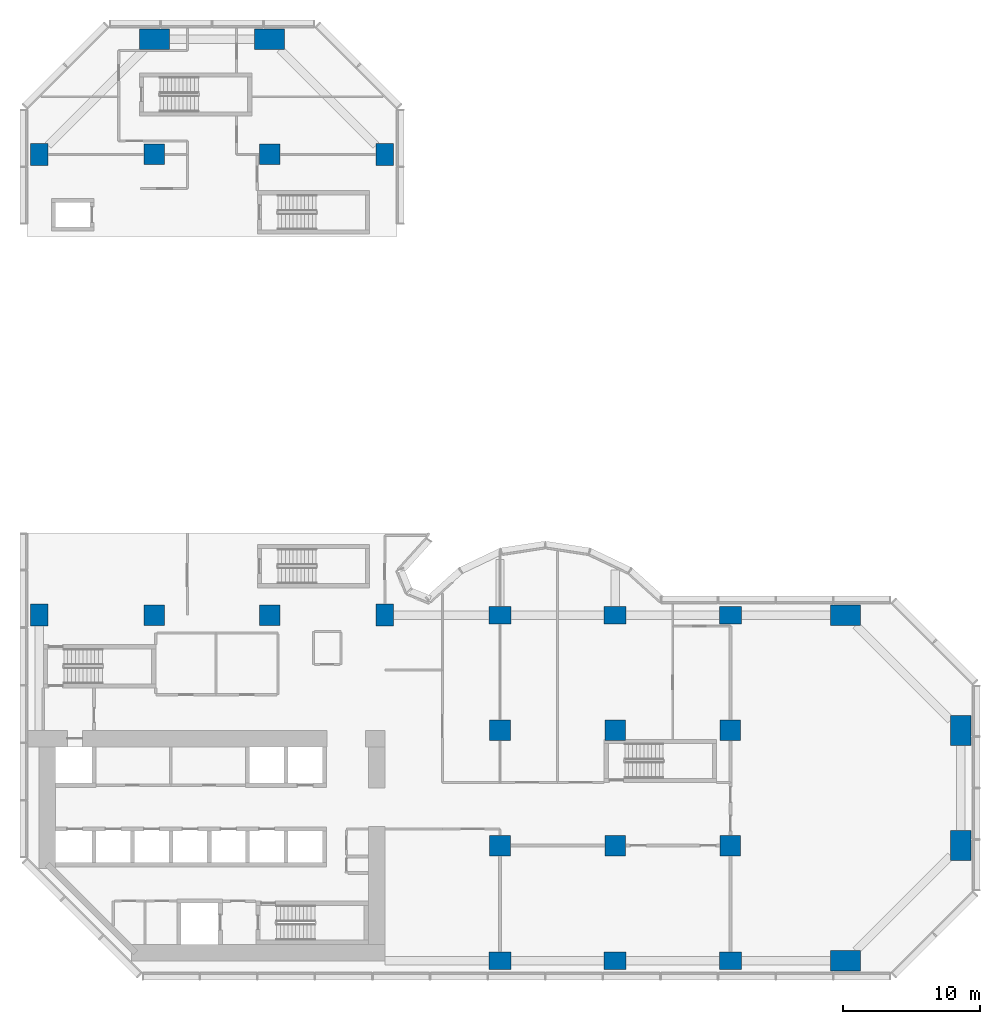
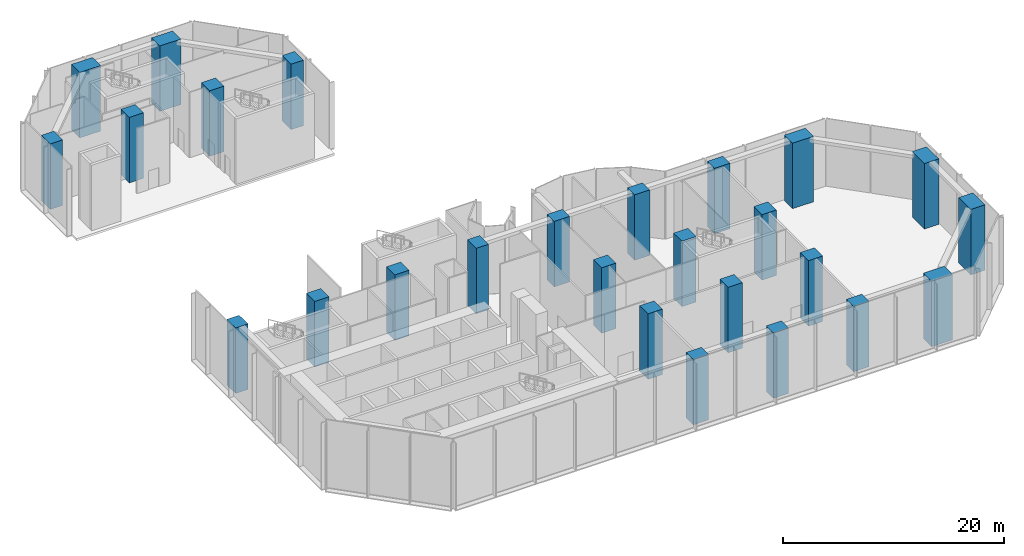
# One storey, part 1 of 16: 26 columns.
"""IFC4 building model written with IfcOpenShell, lengths in metres."""

from ifc_helpers import new_model, si_unit, direction, frame, origin, origin_2d, place, context, subcontext, project, spatial, rectangle, extrude, material, material_profile, profile_set, type_object, element, save


model = new_model("IFC4")

# Units and contexts
model_context = context("Model", 3, precision=1e-05, world=origin(), true_north=direction((0.0, 1.0)))
body_context = subcontext(model_context, "Body", "Model", "MODEL_VIEW")
ifc_project = project(units=[si_unit("LENGTHUNIT", "METRE"), si_unit("AREAUNIT", "SQUARE_METRE"), si_unit("VOLUMEUNIT", "CUBIC_METRE"), si_unit("PLANEANGLEUNIT", "RADIAN"), si_unit("MASSUNIT", "GRAM", prefix="KILO")], contexts=[model_context])

# Site, building, storey
site_placement = place(None, origin())
site = spatial("IfcSite", under=ifc_project, at=site_placement, CompositionType="ELEMENT")
building_placement = place(site_placement, origin())
building = spatial("IfcBuilding", under=site, at=building_placement, Name="Brevane Broadcast Tower", CompositionType="ELEMENT")
storey_placement = place(building_placement, frame((0.0, 0.0, 12.5)))
storey = spatial("IfcBuildingStorey", under=building, at=storey_placement, Name="L02", CompositionType="ELEMENT", Elevation=12.5)

# Columns
ifc_material = material(Name="Concrete C80/95", Category="concrete")
ifc_material_profile_1 = material_profile(ifc_material, rectangle(XDim=1.300048828125, YDim=1.60009765625, at=origin_2d()), Name="RC 1300x1600")
ifc_profile_set_1 = profile_set([ifc_material_profile_1], Name="Concrete C80/95")
column_type_1 = type_object("IfcColumnType", Name="RC COLUMN EDGE 1300x1600 C80/95", PredefinedType="COLUMN", material=ifc_profile_set_1)
for number, where, z_axis, x_axis, name in (
    (1, (0.0, 25.199951171875, 0.0), (0.0, 0.0, 1.0), (1.0, 0.0, 0.0), "CE1 1/D"),
    (2, (0.0, 58.800048828125, 0.0), (0.0, 0.0, 1.0), (1.0, 0.0, 0.0), "CE1 1/H"),
    (3, (25.199951171875, 25.199951171875, 0.0), (0.0, 0.0, 1.0), (1.0, 0.0, 0.0), "CE1 4/D"),
    (4, (25.199951171875, 58.800048828125, 0.0), (0.0, 0.0, 1.0), (1.0, 0.0, 0.0), "CE1 4/H"),
    (5, (33.60009765625, 0.0, 0.0), (0.0, 0.0, 1.0), (0.0, 1.0, 0.0), "CE1 5/A"),
    (6, (33.60009765625, 25.199951171875, 0.0), (0.0, 0.0, 1.0), (0.0, 1.0, 0.0), "CE1 5/D"),
    (7, (42.0, 0.0, 0.0), (0.0, 0.0, 1.0), (0.0, 1.0, 0.0), "CE1 6/A"),
    (8, (42.0, 25.199951171875, 0.0), (0.0, 0.0, 1.0), (0.0, 1.0, 0.0), "CE1 6/D"),
    (9, (50.39990234375, 0.0, 0.0), (0.0, 0.0, 1.0), (0.0, 1.0, 0.0), "CE1 7/A"),
    (10, (50.39990234375, 25.199951171875, 0.0), (0.0, 0.0, 1.0), (0.0, 1.0, 0.0), "CE1 7/D"),
):
    element("IfcColumn", number, at=place(storey_placement, frame(where, z_axis=z_axis, x_axis=x_axis)), inside=storey, type_object=column_type_1, Name=name, PredefinedType="COLUMN", context=body_context, shape_type="SweptSolid", body=[
        extrude(rectangle(XDim=1.300048828125, YDim=1.60009765625, at=origin_2d()), origin(), (0.0, 0.0, 1.0), 7.25),
    ])
ifc_material_profile_2 = material_profile(ifc_material, rectangle(XDim=1.5, YDim=2.199951171875, at=origin_2d()), Name="RC 1500x2200")
ifc_profile_set_2 = profile_set([ifc_material_profile_2], Name="Concrete C80/95")
column_type_2 = type_object("IfcColumnType", Name="RC COLUMN EDGE 1500x2200 C80/95", PredefinedType="COLUMN", material=ifc_profile_set_2)
for number, where, z_axis, x_axis, name in (
    (11, (58.800048828125, 0.0, 0.0), (0.0, 0.0, 1.0), (0.0, 1.0, 0.0), "CE4 8/A"),
    (12, (58.800048828125, 25.199951171875, 0.0), (0.0, 0.0, 1.0), (0.0, 1.0, 0.0), "CE4 8/D"),
):
    element("IfcColumn", number, at=place(storey_placement, frame(where, z_axis=z_axis, x_axis=x_axis)), inside=storey, type_object=column_type_2, Name=name, PredefinedType="COLUMN", context=body_context, shape_type="SweptSolid", body=[
        extrude(rectangle(XDim=1.5, YDim=2.199951171875, at=origin_2d()), origin(), (0.0, 0.0, 1.0), 7.25),
    ])
ifc_material_profile_3 = material_profile(ifc_material, rectangle(XDim=1.5, YDim=1.5, at=origin_2d()), Name="RC 1500x1500")
ifc_profile_set_3 = profile_set([ifc_material_profile_3], Name="Concrete C80/95")
column_type_3 = type_object("IfcColumnType", Name="RC COLUMN INTERIOR 1500x1500 C80/95", PredefinedType="COLUMN", material=ifc_profile_set_3)
for number, where, z_axis, x_axis, name in (
    (13, (8.39990234375, 25.199951171875, 0.0), (0.0, 0.0, 1.0), (1.0, 0.0, 0.0), "CI2 2/D"),
    (14, (8.39990234375, 58.800048828125, 0.0), (0.0, 0.0, 1.0), (1.0, 0.0, 0.0), "CI2 2/H"),
    (15, (16.800048828125, 25.199951171875, 0.0), (0.0, 0.0, 1.0), (1.0, 0.0, 0.0), "CI2 3/D"),
    (16, (16.800048828125, 58.800048828125, 0.0), (0.0, 0.0, 1.0), (1.0, 0.0, 0.0), "CI2 3/H"),
    (17, (33.60009765625, 8.39990234375, 0.0), (0.0, 0.0, 1.0), (1.0, 0.0, 0.0), "CI2 5/B"),
    (18, (33.60009765625, 16.800048828125, 0.0), (0.0, 0.0, 1.0), (1.0, 0.0, 0.0), "CI2 5/C"),
    (19, (42.0, 8.39990234375, 0.0), (0.0, 0.0, 1.0), (1.0, 0.0, 0.0), "CI2 6/B"),
    (20, (42.0, 16.800048828125, 0.0), (0.0, 0.0, 1.0), (1.0, 0.0, 0.0), "CI2 6/C"),
    (21, (50.39990234375, 8.39990234375, 0.0), (0.0, 0.0, 1.0), (1.0, 0.0, 0.0), "CI2 7/B"),
    (22, (50.39990234375, 16.800048828125, 0.0), (0.0, 0.0, 1.0), (1.0, 0.0, 0.0), "CI2 7/C"),
):
    element("IfcColumn", number, at=place(storey_placement, frame(where, z_axis=z_axis, x_axis=x_axis)), inside=storey, type_object=column_type_3, Name=name, PredefinedType="COLUMN", context=body_context, shape_type="SweptSolid", body=[
        extrude(rectangle(XDim=1.5, YDim=1.5, at=origin_2d()), origin(), (0.0, 0.0, 1.0), 7.25),
    ])
ifc_material_profile_4 = material_profile(ifc_material, rectangle(XDim=1.5, YDim=2.199951171875, at=origin_2d()), Name="RC 1500x2200")
ifc_profile_set_4 = profile_set([ifc_material_profile_4], Name="Concrete C80/95")
column_type_4 = type_object("IfcColumnType", Name="RC COLUMN WING-END 1500x2200 C80/95", PredefinedType="COLUMN", material=ifc_profile_set_4)
for number, where, z_axis, x_axis, name in (
    (23, (8.39990234375, 67.199951171875, 0.0), (0.0, 0.0, 1.0), (0.0, 1.0, 0.0), "CW3 2/I"),
    (24, (16.800048828125, 67.199951171875, 0.0), (0.0, 0.0, 1.0), (0.0, 1.0, 0.0), "CW3 3/I"),
    (25, (67.199951171875, 8.39990234375, 0.0), (0.0, 0.0, 1.0), (1.0, 0.0, 0.0), "CW3 9/B"),
    (26, (67.199951171875, 16.800048828125, 0.0), (0.0, 0.0, 1.0), (1.0, 0.0, 0.0), "CW3 9/C"),
):
    element("IfcColumn", number, at=place(storey_placement, frame(where, z_axis=z_axis, x_axis=x_axis)), inside=storey, type_object=column_type_4, Name=name, PredefinedType="COLUMN", context=body_context, shape_type="SweptSolid", body=[
        extrude(rectangle(XDim=1.5, YDim=2.199951171875, at=origin_2d()), origin(), (0.0, 0.0, 1.0), 7.25),
    ])

save(model, "model.ifc")
